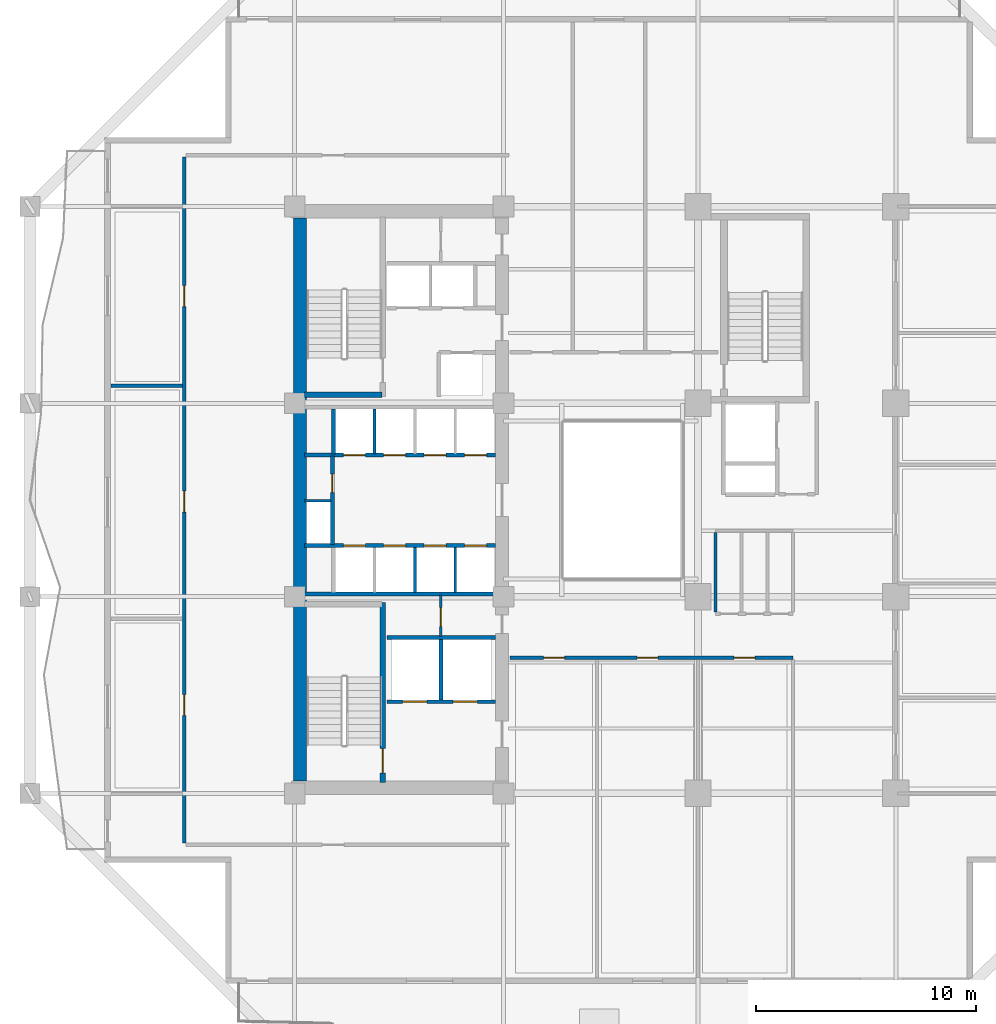
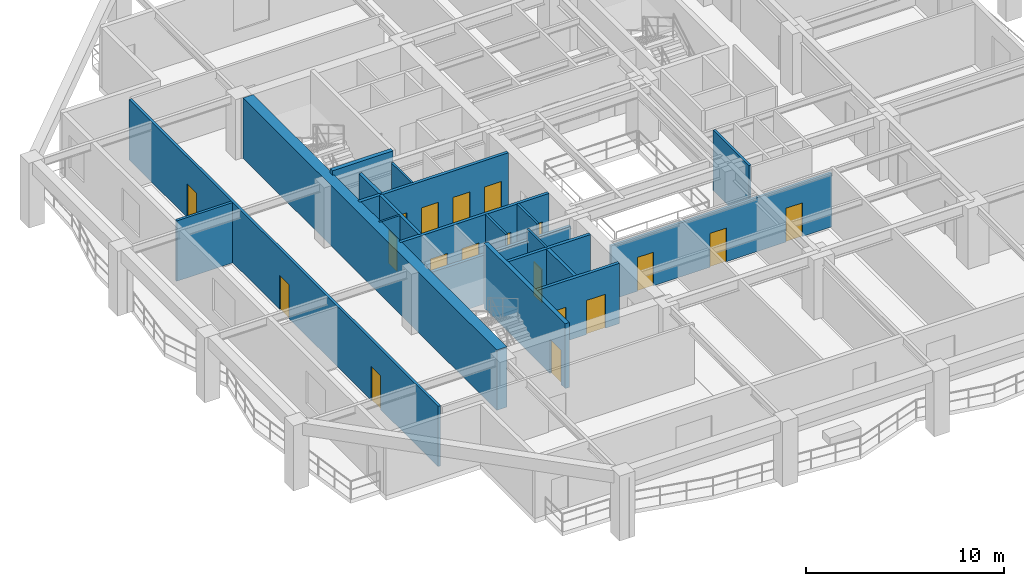
# One storey, part 3 of 13: 20 walls, 19 doors, 19 openings.
"""IFC4 building model written with IfcOpenShell, lengths in metres."""

from ifc_helpers import new_model, si_unit, direction, frame, frame_2d, origin, place, context, subcontext, project, spatial, rectangle, extrude, material, layer, layer_set, type_object, element, fill, save


model = new_model("IFC4")

# Units and contexts
model_context = context("Model", 3, precision=1e-05, world=origin(), true_north=direction((0.0, 1.0)))
body_context = subcontext(model_context, "Body", "Model", "MODEL_VIEW")
ifc_project = project(units=[si_unit("LENGTHUNIT", "METRE"), si_unit("AREAUNIT", "SQUARE_METRE"), si_unit("VOLUMEUNIT", "CUBIC_METRE"), si_unit("PLANEANGLEUNIT", "RADIAN"), si_unit("MASSUNIT", "GRAM", prefix="KILO")], contexts=[model_context])

# Site, building, storey
site_placement = place(None, origin())
site = spatial("IfcSite", under=ifc_project, at=site_placement, CompositionType="ELEMENT")
building_placement = place(site_placement, origin())
building = spatial("IfcBuilding", under=site, at=building_placement, Name="Kundavana Baori Tower", CompositionType="ELEMENT")
storey_placement = place(building_placement, frame((0.0, 0.0, 58.0)))
storey = spatial("IfcBuildingStorey", under=building, at=storey_placement, Name="L13", CompositionType="ELEMENT", Elevation=58.0)

# Wall, opening, door
ifc_material_1 = material(Name="Concrete C50/60", Category="concrete")
ifc_layer_1 = layer(ifc_material_1, 0.39990234375, Name="WL-CORE-400")
ifc_layer_set_1 = layer_set([ifc_layer_1], Name="Concrete C50/60")
wall_type_1 = type_object("IfcWallType", Name="WL-CORE-400", PredefinedType="SHEAR", material=ifc_layer_set_1)
wall_1_placement = place(storey_placement, frame((19.4599609375, 15.739990234375, 0.0), z_axis=(0.0, 0.0, 1.0), x_axis=(0.0, 1.0, 0.0)))
wall_1 = element("IfcWall", 1, at=wall_1_placement, inside=storey, type_object=wall_type_1, Name="WL-L13-ST1-E", PredefinedType="SHEAR", context=body_context, shape_type="SweptSolid", body=[
    extrude(rectangle(XDim=8.199951171875, YDim=0.239990234375, at=frame_2d((4.10009765625, 0.0))), origin(), (0.0, 0.0, 1.0), 4.0),
])
opening_1_placement = place(wall_1_placement, frame((0.449951171875, 0.0, 0.0)))
opening_1 = element("IfcOpeningElement", 2, at=opening_1_placement, cuts=wall_1, Name="Opening FD-110", PredefinedType="OPENING", context=body_context, shape_type="SweptSolid", body=[
    extrude(rectangle(XDim=1.10009765625, YDim=2.10009765625, at=frame_2d((0.550048828125, 1.050048828125))), frame((0.0, 0.1298828125, 0.0), z_axis=(0.0, -1.0, 0.0), x_axis=(1.0, 0.0, 0.0)), (0.0, 0.0, 1.0), 0.260009765625),
])
ifc_material_2 = material(Name="Galvanised Steel Fire-Rated Door Leaf", Category="steel")
door_type_1 = type_object("IfcDoorType", Name="DR-FD120-1100", OperationType="NOTDEFINED", PredefinedType="DOOR", material=ifc_material_2)
door_1_placement = place(opening_1_placement, origin())
door_1 = element("IfcDoor", 3, at=door_1_placement, inside=storey, type_object=door_type_1, Name="DR-L13-ST1", OperationType="SINGLE_SWING_LEFT", OverallHeight=2.10009765625, OverallWidth=1.10009765625, PredefinedType="DOOR", context=body_context, shape_type="SweptSolid", body=[
    extrude(rectangle(XDim=1.10009765625, YDim=2.10009765625, at=frame_2d((0.550048828125, 1.050048828125))), frame((0.0, 0.02490234375, 0.0), z_axis=(0.0, -1.0, 0.0), x_axis=(1.0, 0.0, 0.0)), (0.0, 0.0, 1.0), 0.050048828125),
])
fill(opening_1, door_1)

# Walls
wall_2_placement = place(storey_placement, frame((15.89990234375, 33.389892578125, 0.0), z_axis=(0.0, 0.0, 1.0), x_axis=(1.0, 0.0, 0.0)))
element("IfcWall", 4, at=wall_2_placement, inside=storey, type_object=wall_type_1, Name="WL-L13-ST2-S", PredefinedType="SHEAR", context=body_context, shape_type="SweptSolid", body=[
    extrude(rectangle(XDim=3.52001953125, YDim=0.239990234375, at=frame_2d((1.760009765625, 0.0))), origin(), (0.0, 0.0, 1.0), 4.0),
])
ifc_material_3 = material(Name="Concrete C60/75", Category="concrete")
ifc_layer_2 = layer(ifc_material_3, 0.60009765625, Name="WL-CORE-600")
ifc_layer_set_2 = layer_set([ifc_layer_2], Name="Concrete C60/75")
wall_type_2 = type_object("IfcWallType", Name="WL-CORE-600", PredefinedType="SHEAR", material=ifc_layer_set_2)
wall_3_placement = place(storey_placement, frame((15.68994140625, 15.81005859375, 0.0), z_axis=(0.0, 0.0, 1.0), x_axis=(0.0, 1.0, 0.0)))
element("IfcWall", 5, at=wall_3_placement, inside=storey, type_object=wall_type_2, Name="L13 Offset Core West Shear Wall", PredefinedType="SHEAR", context=body_context, shape_type="SweptSolid", body=[
    extrude(rectangle(XDim=25.6298828125, YDim=0.60009765625, at=frame_2d((12.81494140625, 0.0))), origin(), (0.0, 0.0, 1.0), 3.719970703125),
])

# Wall, opening, door
ifc_material_4 = material(Name="Acoustic Gypsum Plasterboard on Galvanised Steel Studs", Category="steel")
ifc_layer_3 = layer(ifc_material_4, 0.1201171875, Name="WL-PART-120")
ifc_layer_set_3 = layer_set([ifc_layer_3], Name="Acoustic Gypsum Plasterboard on Galvanised Steel Studs")
wall_type_3 = type_object("IfcWallType", Name="WL-PART-120", PredefinedType="PARTITIONING", material=ifc_layer_set_3)
wall_4_placement = place(storey_placement, frame((22.10009765625, 22.39990234375, 0.0), z_axis=(0.0, 0.0, 1.0), x_axis=(0.0, 1.0, 0.0)))
wall_4 = element("IfcWall", 6, at=wall_4_placement, inside=storey, type_object=wall_type_3, Name="WL-L13-CSMK-D1", PredefinedType="PARTITIONING", context=body_context, shape_type="SweptSolid", body=[
    extrude(rectangle(XDim=1.880126953125, YDim=0.1201171875, at=frame_2d((0.93994140625, 0.0))), origin(), (0.0, 0.0, 1.0), 3.719970703125),
])
opening_2_placement = place(wall_4_placement, frame((0.449951171875, 0.0, 0.0)))
opening_2 = element("IfcOpeningElement", 7, at=opening_2_placement, cuts=wall_4, Name="Opening FD-085", PredefinedType="OPENING", context=body_context, shape_type="SweptSolid", body=[
    extrude(rectangle(XDim=0.85009765625, YDim=2.06005859375, at=frame_2d((0.425048828125, 1.030029296875))), frame((0.0, 0.070068359375, 0.0), z_axis=(0.0, -1.0, 0.0), x_axis=(1.0, 0.0, 0.0)), (0.0, 0.0, 1.0), 0.14013671875),
])
ifc_material_5 = material(Name="Galvanised Steel Fire-Rated Door Leaf", Category="steel")
door_type_2 = type_object("IfcDoorType", Name="DR-FD60-850", OperationType="NOTDEFINED", PredefinedType="DOOR", material=ifc_material_5)
door_2_placement = place(opening_2_placement, origin())
door_2 = element("IfcDoor", 8, at=door_2_placement, inside=storey, type_object=door_type_2, Name="DR-L13-CSMK1", OperationType="SINGLE_SWING_LEFT", OverallHeight=2.06005859375, OverallWidth=0.85009765625, PredefinedType="DOOR", context=body_context, shape_type="SweptSolid", body=[
    extrude(rectangle(XDim=0.85009765625, YDim=2.06005859375, at=frame_2d((0.425048828125, 1.030029296875))), frame((0.0, 0.02490234375, 0.0), z_axis=(0.0, -1.0, 0.0), x_axis=(1.0, 0.0, 0.0)), (0.0, 0.0, 1.0), 0.050048828125),
])
fill(opening_2, door_2)

# Walls
for number, where, z_axis, x_axis, name in (
    (9, (20.919921875, 24.39990234375, 0.0), (0.0, 0.0, 1.0), (0.0, 1.0, 0.0), "WL-L13-LPLOW-D2"),
    (10, (22.760009765625, 24.39990234375, 0.0), (0.0, 0.0, 1.0), (0.0, 1.0, 0.0), "WL-L13-LPLOW-D3"),
):
    element("IfcWall", number, at=place(storey_placement, frame(where, z_axis=z_axis, x_axis=x_axis)), inside=storey, type_object=wall_type_3, Name=name, PredefinedType="PARTITIONING", context=body_context, shape_type="SweptSolid", body=[
        extrude(rectangle(XDim=2.050048828125, YDim=0.1201171875, at=frame_2d((1.02490234375, 0.0))), origin(), (0.0, 0.0, 1.0), 3.719970703125),
    ])
wall_5_placement = place(storey_placement, frame((15.89990234375, 28.56005859375, 0.0), z_axis=(0.0, 0.0, 1.0), x_axis=(1.0, 0.0, 0.0)))
element("IfcWall", 11, at=wall_5_placement, inside=storey, type_object=wall_type_3, Name="WL-L13-RSRW-N", PredefinedType="PARTITIONING", context=body_context, shape_type="SweptSolid", body=[
    extrude(rectangle(XDim=1.2001953125, YDim=0.1201171875, at=frame_2d((0.60009765625, 0.0))), origin(), (0.0, 0.0, 1.0), 3.719970703125),
])
wall_6_placement = place(storey_placement, frame((19.080078125, 30.699951171875, 0.0), z_axis=(0.0, 0.0, 1.0), x_axis=(0.0, 1.0, 0.0)))
element("IfcWall", 12, at=wall_6_placement, inside=storey, type_object=wall_type_3, Name="WL-L13-LPMID-D1", PredefinedType="PARTITIONING", context=body_context, shape_type="SweptSolid", body=[
    extrude(rectangle(XDim=2.050048828125, YDim=0.1201171875, at=frame_2d((1.02490234375, 0.0))), origin(), (0.0, 0.0, 1.0), 3.719970703125),
])

# Wall, openings, doors
ifc_material_6 = material(Name="Fire-Rated Gypsum Drywall on Galvanised Steel Studs", Category="steel")
ifc_layer_4 = layer(ifc_material_6, 0.14990234375, Name="WL-PART-150")
ifc_layer_set_4 = layer_set([ifc_layer_4], Name="Fire-Rated Gypsum Drywall on Galvanised Steel Studs")
wall_type_4 = type_object("IfcWallType", Name="WL-PART-150", PredefinedType="PARTITIONING", material=ifc_layer_set_4)
wall_7_placement = place(storey_placement, frame((25.25, 21.419921875, 0.0), z_axis=(0.0, 0.0, 1.0), x_axis=(1.0, 0.0, 0.0)))
wall_7 = element("IfcWall", 13, at=wall_7_placement, inside=storey, type_object=wall_type_4, Name="WL-L13-OFS", PredefinedType="PARTITIONING", context=body_context, shape_type="SweptSolid", body=[
    extrude(rectangle(XDim=12.8701171875, YDim=0.14990234375, at=frame_2d((6.43505859375, 0.0))), origin(), (0.0, 0.0, 1.0), 3.320068359375),
])
opening_3_placement = place(wall_7_placement, frame((1.52490234375, 0.0, 0.0)))
opening_3 = element("IfcOpeningElement", 14, at=opening_3_placement, cuts=wall_7, Name="Opening ID-095", PredefinedType="OPENING", context=body_context, shape_type="SweptSolid", body=[
    extrude(rectangle(XDim=0.949951171875, YDim=2.080078125, at=frame_2d((0.47509765625, 1.0400390625))), frame((0.0, 0.0849609375, 0.0), z_axis=(0.0, -1.0, 0.0), x_axis=(1.0, 0.0, 0.0)), (0.0, 0.0, 1.0), 0.169921875),
])
opening_4_placement = place(wall_7_placement, frame((5.77490234375, 0.0, 0.0)))
opening_4 = element("IfcOpeningElement", 15, at=opening_4_placement, cuts=wall_7, Name="Opening ID-095", PredefinedType="OPENING", context=body_context, shape_type="SweptSolid", body=[
    extrude(rectangle(XDim=0.949951171875, YDim=2.080078125, at=frame_2d((0.47509765625, 1.0400390625))), frame((0.0, 0.0849609375, 0.0), z_axis=(0.0, -1.0, 0.0), x_axis=(1.0, 0.0, 0.0)), (0.0, 0.0, 1.0), 0.169921875),
])
opening_5_placement = place(wall_7_placement, frame((10.195068359375, 0.0, 0.0)))
opening_5 = element("IfcOpeningElement", 16, at=opening_5_placement, cuts=wall_7, Name="Opening ID-095", PredefinedType="OPENING", context=body_context, shape_type="SweptSolid", body=[
    extrude(rectangle(XDim=0.949951171875, YDim=2.080078125, at=frame_2d((0.47509765625, 1.0400390625))), frame((0.0, 0.0849609375, 0.0), z_axis=(0.0, -1.0, 0.0), x_axis=(1.0, 0.0, 0.0)), (0.0, 0.0, 1.0), 0.169921875),
])
ifc_material_7 = material(Name="Engineered Teak Solid-Core Timber Veneer", Category="wood")
door_type_3 = type_object("IfcDoorType", Name="DR-INT-950", OperationType="NOTDEFINED", PredefinedType="DOOR", material=ifc_material_7)
door_3_placement = place(opening_3_placement, frame((0.949951171875, 0.0, 0.0), z_axis=(0.0, 0.0, 1.0), x_axis=(-1.0, 0.0, 0.0)))
door_3 = element("IfcDoor", 17, at=door_3_placement, inside=storey, type_object=door_type_3, Name="DR-L13-OFS1", OperationType="SINGLE_SWING_LEFT", OverallHeight=2.080078125, OverallWidth=0.949951171875, PredefinedType="DOOR", context=body_context, shape_type="SweptSolid", body=[
    extrude(rectangle(XDim=0.949951171875, YDim=2.080078125, at=frame_2d((0.47509765625, 1.0400390625))), frame((0.0, 0.02490234375, 0.0), z_axis=(0.0, -1.0, 0.0), x_axis=(1.0, 0.0, 0.0)), (0.0, 0.0, 1.0), 0.050048828125),
])
fill(opening_3, door_3)
door_4_placement = place(opening_4_placement, frame((0.949951171875, 0.0, 0.0), z_axis=(0.0, 0.0, 1.0), x_axis=(-1.0, 0.0, 0.0)))
door_4 = element("IfcDoor", 18, at=door_4_placement, inside=storey, type_object=door_type_3, Name="DR-L13-OFS2", OperationType="SINGLE_SWING_RIGHT", OverallHeight=2.080078125, OverallWidth=0.949951171875, PredefinedType="DOOR", context=body_context, shape_type="SweptSolid", body=[
    extrude(rectangle(XDim=0.949951171875, YDim=2.080078125, at=frame_2d((0.47509765625, 1.0400390625))), frame((0.0, 0.02490234375, 0.0), z_axis=(0.0, -1.0, 0.0), x_axis=(1.0, 0.0, 0.0)), (0.0, 0.0, 1.0), 0.050048828125),
])
fill(opening_4, door_4)
door_5_placement = place(opening_5_placement, frame((0.949951171875, 0.0, 0.0), z_axis=(0.0, 0.0, 1.0), x_axis=(-1.0, 0.0, 0.0)))
door_5 = element("IfcDoor", 19, at=door_5_placement, inside=storey, type_object=door_type_3, Name="DR-L13-OFS3", OperationType="SINGLE_SWING_LEFT", OverallHeight=2.080078125, OverallWidth=0.949951171875, PredefinedType="DOOR", context=body_context, shape_type="SweptSolid", body=[
    extrude(rectangle(XDim=0.949951171875, YDim=2.080078125, at=frame_2d((0.47509765625, 1.0400390625))), frame((0.0, 0.02490234375, 0.0), z_axis=(0.0, -1.0, 0.0), x_axis=(1.0, 0.0, 0.0)), (0.0, 0.0, 1.0), 0.050048828125),
])
fill(opening_5, door_5)

wall_8_placement = place(storey_placement, frame((10.419921875, 13.0, 0.0), z_axis=(0.0, 0.0, 1.0), x_axis=(0.0, 1.0, 0.0)))
wall_8 = element("IfcWall", 20, at=wall_8_placement, inside=storey, type_object=wall_type_4, Name="WL-L13-OW", PredefinedType="PARTITIONING", context=body_context, shape_type="SweptSolid", body=[
    extrude(rectangle(XDim=31.199951171875, YDim=0.14990234375, at=frame_2d((15.60009765625, 0.0))), origin(), (0.0, 0.0, 1.0), 3.719970703125),
])
opening_6_placement = place(wall_8_placement, frame((5.800048828125, 0.0, 0.0)))
opening_6 = element("IfcOpeningElement", 21, at=opening_6_placement, cuts=wall_8, Name="Opening ID-095", PredefinedType="OPENING", context=body_context, shape_type="SweptSolid", body=[
    extrude(rectangle(XDim=0.949951171875, YDim=2.080078125, at=frame_2d((0.47509765625, 1.0400390625))), frame((0.0, 0.0849609375, 0.0), z_axis=(0.0, -1.0, 0.0), x_axis=(1.0, 0.0, 0.0)), (0.0, 0.0, 1.0), 0.169921875),
])
opening_7_placement = place(wall_8_placement, frame((15.050048828125, 0.0, 0.0)))
opening_7 = element("IfcOpeningElement", 22, at=opening_7_placement, cuts=wall_8, Name="Opening ID-095", PredefinedType="OPENING", context=body_context, shape_type="SweptSolid", body=[
    extrude(rectangle(XDim=0.949951171875, YDim=2.080078125, at=frame_2d((0.47509765625, 1.0400390625))), frame((0.0, 0.0849609375, 0.0), z_axis=(0.0, -1.0, 0.0), x_axis=(1.0, 0.0, 0.0)), (0.0, 0.0, 1.0), 0.169921875),
])
opening_8_placement = place(wall_8_placement, frame((24.39990234375, 0.0, 0.0)))
opening_8 = element("IfcOpeningElement", 23, at=opening_8_placement, cuts=wall_8, Name="Opening ID-095", PredefinedType="OPENING", context=body_context, shape_type="SweptSolid", body=[
    extrude(rectangle(XDim=0.949951171875, YDim=2.080078125, at=frame_2d((0.47509765625, 1.0400390625))), frame((0.0, 0.0849609375, 0.0), z_axis=(0.0, -1.0, 0.0), x_axis=(1.0, 0.0, 0.0)), (0.0, 0.0, 1.0), 0.169921875),
])
door_6_placement = place(opening_6_placement, frame((0.949951171875, 0.0, 0.0), z_axis=(0.0, 0.0, 1.0), x_axis=(-1.0, 0.0, 0.0)))
door_6 = element("IfcDoor", 24, at=door_6_placement, inside=storey, type_object=door_type_3, Name="DR-L13-OFW1", OperationType="SINGLE_SWING_LEFT", OverallHeight=2.080078125, OverallWidth=0.949951171875, PredefinedType="DOOR", context=body_context, shape_type="SweptSolid", body=[
    extrude(rectangle(XDim=0.949951171875, YDim=2.080078125, at=frame_2d((0.47509765625, 1.0400390625))), frame((0.0, 0.02490234375, 0.0), z_axis=(0.0, -1.0, 0.0), x_axis=(1.0, 0.0, 0.0)), (0.0, 0.0, 1.0), 0.050048828125),
])
fill(opening_6, door_6)
door_7_placement = place(opening_7_placement, frame((0.949951171875, 0.0, 0.0), z_axis=(0.0, 0.0, 1.0), x_axis=(-1.0, 0.0, 0.0)))
door_7 = element("IfcDoor", 25, at=door_7_placement, inside=storey, type_object=door_type_3, Name="DR-L13-OFW2", OperationType="SINGLE_SWING_RIGHT", OverallHeight=2.080078125, OverallWidth=0.949951171875, PredefinedType="DOOR", context=body_context, shape_type="SweptSolid", body=[
    extrude(rectangle(XDim=0.949951171875, YDim=2.080078125, at=frame_2d((0.47509765625, 1.0400390625))), frame((0.0, 0.02490234375, 0.0), z_axis=(0.0, -1.0, 0.0), x_axis=(1.0, 0.0, 0.0)), (0.0, 0.0, 1.0), 0.050048828125),
])
fill(opening_7, door_7)
door_8_placement = place(opening_8_placement, frame((0.949951171875, 0.0, 0.0), z_axis=(0.0, 0.0, 1.0), x_axis=(-1.0, 0.0, 0.0)))
door_8 = element("IfcDoor", 26, at=door_8_placement, inside=storey, type_object=door_type_3, Name="DR-L13-OFW3", OperationType="SINGLE_SWING_LEFT", OverallHeight=2.080078125, OverallWidth=0.949951171875, PredefinedType="DOOR", context=body_context, shape_type="SweptSolid", body=[
    extrude(rectangle(XDim=0.949951171875, YDim=2.080078125, at=frame_2d((0.47509765625, 1.0400390625))), frame((0.0, 0.02490234375, 0.0), z_axis=(0.0, -1.0, 0.0), x_axis=(1.0, 0.0, 0.0)), (0.0, 0.0, 1.0), 0.050048828125),
])
fill(opening_8, door_8)

# Wall
wall_9_placement = place(storey_placement, frame((7.080078125, 33.800048828125, 0.0), z_axis=(0.0, 0.0, 1.0), x_axis=(1.0, 0.0, 0.0)))
element("IfcWall", 27, at=wall_9_placement, inside=storey, type_object=wall_type_4, Name="WL-L13-WD2", PredefinedType="PARTITIONING", context=body_context, shape_type="SweptSolid", body=[
    extrude(rectangle(XDim=3.260009765625, YDim=0.14990234375, at=frame_2d((1.6298828125, 0.0))), origin(), (0.0, 0.0, 1.0), 3.719970703125),
])

# Wall, openings, doors
ifc_material_8 = material(Name="Autoclaved Aerated Concrete Blockwork Masonry", Category="masonry")
ifc_layer_5 = layer(ifc_material_8, 0.179931640625, Name="WL-SHAFT-180")
ifc_layer_set_5 = layer_set([ifc_layer_5], Name="Autoclaved Aerated Concrete Blockwork Masonry")
wall_type_5 = type_object("IfcWallType", Name="WL-SHAFT-180", PredefinedType="SOLIDWALL", material=ifc_layer_set_5)
wall_10_placement = place(storey_placement, frame((19.639892578125, 19.419921875, 0.0), z_axis=(0.0, 0.0, 1.0), x_axis=(1.0, 0.0, 0.0)))
wall_10 = element("IfcWall", 28, at=wall_10_placement, inside=storey, type_object=wall_type_5, Name="WL-L13-FFL-S", PredefinedType="SOLIDWALL", context=body_context, shape_type="SweptSolid", body=[
    extrude(rectangle(XDim=4.940185546875, YDim=0.179931640625, at=frame_2d((2.47021484375, 0.0))), origin(), (0.0, 0.0, 1.0), 3.719970703125),
])
opening_9_placement = place(wall_10_placement, frame((0.719970703125, 0.0, 0.0)))
opening_9 = element("IfcOpeningElement", 29, at=opening_9_placement, cuts=wall_10, Name="Opening LD-110", PredefinedType="OPENING", context=body_context, shape_type="SweptSolid", body=[
    extrude(rectangle(XDim=1.10009765625, YDim=2.10009765625, at=frame_2d((0.550048828125, 1.050048828125))), frame((0.0, 0.10009765625, 0.0), z_axis=(0.0, -1.0, 0.0), x_axis=(1.0, 0.0, 0.0)), (0.0, 0.0, 1.0), 0.199951171875),
])
opening_10_placement = place(wall_10_placement, frame((3.02001953125, 0.0, 0.0)))
opening_10 = element("IfcOpeningElement", 30, at=opening_10_placement, cuts=wall_10, Name="Opening LD-110", PredefinedType="OPENING", context=body_context, shape_type="SweptSolid", body=[
    extrude(rectangle(XDim=1.10009765625, YDim=2.10009765625, at=frame_2d((0.550048828125, 1.050048828125))), frame((0.0, 0.10009765625, 0.0), z_axis=(0.0, -1.0, 0.0), x_axis=(1.0, 0.0, 0.0)), (0.0, 0.0, 1.0), 0.199951171875),
])
ifc_material_9 = material(Name="Galvanised Steel Fire-Rated Door Leaf", Category="steel")
door_type_4 = type_object("IfcDoorType", Name="DR-SLIDE-LD1100", OperationType="NOTDEFINED", PredefinedType="DOOR", material=ifc_material_9)
door_9_placement = place(opening_9_placement, origin())
door_9 = element("IfcDoor", 31, at=door_9_placement, inside=storey, type_object=door_type_4, Name="DR-L13-LD-FFL-1", OperationType="DOUBLE_DOOR_SLIDING", OverallHeight=2.10009765625, OverallWidth=1.10009765625, PredefinedType="DOOR", context=body_context, shape_type="SweptSolid", body=[
    extrude(rectangle(XDim=1.10009765625, YDim=2.10009765625, at=frame_2d((0.550048828125, 1.050048828125))), frame((0.0, 0.02490234375, 0.0), z_axis=(0.0, -1.0, 0.0), x_axis=(1.0, 0.0, 0.0)), (0.0, 0.0, 1.0), 0.050048828125),
])
fill(opening_9, door_9)
door_10_placement = place(opening_10_placement, origin())
door_10 = element("IfcDoor", 32, at=door_10_placement, inside=storey, type_object=door_type_4, Name="DR-L13-LD-FFL-2", OperationType="DOUBLE_DOOR_SLIDING", OverallHeight=2.10009765625, OverallWidth=1.10009765625, PredefinedType="DOOR", context=body_context, shape_type="SweptSolid", body=[
    extrude(rectangle(XDim=1.10009765625, YDim=2.10009765625, at=frame_2d((0.550048828125, 1.050048828125))), frame((0.0, 0.02490234375, 0.0), z_axis=(0.0, -1.0, 0.0), x_axis=(1.0, 0.0, 0.0)), (0.0, 0.0, 1.0), 0.050048828125),
])
fill(opening_10, door_10)

# Walls
wall_11_placement = place(storey_placement, frame((22.10009765625, 19.510009765625, 0.0), z_axis=(0.0, 0.0, 1.0), x_axis=(0.0, 1.0, 0.0)))
element("IfcWall", 33, at=wall_11_placement, inside=storey, type_object=wall_type_5, Name="WL-L13-FFL-MID", PredefinedType="SOLIDWALL", context=body_context, shape_type="SweptSolid", body=[
    extrude(rectangle(XDim=2.739990234375, YDim=0.179931640625, at=frame_2d((1.3701171875, 0.0))), origin(), (0.0, 0.0, 1.0), 3.719970703125),
])
wall_12_placement = place(storey_placement, frame((19.639892578125, 22.340087890625, 0.0), z_axis=(0.0, 0.0, 1.0), x_axis=(1.0, 0.0, 0.0)))
element("IfcWall", 34, at=wall_12_placement, inside=storey, type_object=wall_type_5, Name="WL-L13-FFL-N", PredefinedType="SOLIDWALL", context=body_context, shape_type="SweptSolid", body=[
    extrude(rectangle(XDim=4.940185546875, YDim=0.179931640625, at=frame_2d((2.47021484375, 0.0))), origin(), (0.0, 0.0, 1.0), 3.719970703125),
])

# Wall, openings, doors
wall_13_placement = place(storey_placement, frame((15.89990234375, 26.52001953125, 0.0), z_axis=(0.0, 0.0, 1.0), x_axis=(1.0, 0.0, 0.0)))
wall_13 = element("IfcWall", 35, at=wall_13_placement, inside=storey, type_object=wall_type_5, Name="WL-L13-LPLOW-N", PredefinedType="SOLIDWALL", context=body_context, shape_type="SweptSolid", body=[
    extrude(rectangle(XDim=8.68017578125, YDim=0.179931640625, at=frame_2d((4.340087890625, 0.0))), origin(), (0.0, 0.0, 1.0), 3.719970703125),
])
opening_11_placement = place(wall_13_placement, frame((1.760009765625, 0.0, 0.0)))
opening_11 = element("IfcOpeningElement", 36, at=opening_11_placement, cuts=wall_13, Name="Opening LD-100", PredefinedType="OPENING", context=body_context, shape_type="SweptSolid", body=[
    extrude(rectangle(XDim=1.0, YDim=2.10009765625, at=frame_2d((0.5, 1.050048828125))), frame((0.0, 0.10009765625, 0.0), z_axis=(0.0, -1.0, 0.0), x_axis=(1.0, 0.0, 0.0)), (0.0, 0.0, 1.0), 0.199951171875),
])
opening_12_placement = place(wall_13_placement, frame((3.60009765625, 0.0, 0.0)))
opening_12 = element("IfcOpeningElement", 37, at=opening_12_placement, cuts=wall_13, Name="Opening LD-100", PredefinedType="OPENING", context=body_context, shape_type="SweptSolid", body=[
    extrude(rectangle(XDim=1.0, YDim=2.10009765625, at=frame_2d((0.5, 1.050048828125))), frame((0.0, 0.10009765625, 0.0), z_axis=(0.0, -1.0, 0.0), x_axis=(1.0, 0.0, 0.0)), (0.0, 0.0, 1.0), 0.199951171875),
])
opening_13_placement = place(wall_13_placement, frame((5.43994140625, 0.0, 0.0)))
opening_13 = element("IfcOpeningElement", 38, at=opening_13_placement, cuts=wall_13, Name="Opening LD-100", PredefinedType="OPENING", context=body_context, shape_type="SweptSolid", body=[
    extrude(rectangle(XDim=1.0, YDim=2.10009765625, at=frame_2d((0.5, 1.050048828125))), frame((0.0, 0.10009765625, 0.0), z_axis=(0.0, -1.0, 0.0), x_axis=(1.0, 0.0, 0.0)), (0.0, 0.0, 1.0), 0.199951171875),
])
opening_14_placement = place(wall_13_placement, frame((7.280029296875, 0.0, 0.0)))
opening_14 = element("IfcOpeningElement", 39, at=opening_14_placement, cuts=wall_13, Name="Opening LD-100", PredefinedType="OPENING", context=body_context, shape_type="SweptSolid", body=[
    extrude(rectangle(XDim=1.0, YDim=2.10009765625, at=frame_2d((0.5, 1.050048828125))), frame((0.0, 0.10009765625, 0.0), z_axis=(0.0, -1.0, 0.0), x_axis=(1.0, 0.0, 0.0)), (0.0, 0.0, 1.0), 0.199951171875),
])
ifc_material_10 = material(Name="Galvanised Steel Fire-Rated Door Leaf", Category="steel")
door_type_5 = type_object("IfcDoorType", Name="DR-SLIDE-LD1000", OperationType="NOTDEFINED", PredefinedType="DOOR", material=ifc_material_10)
door_11_placement = place(opening_11_placement, origin())
door_11 = element("IfcDoor", 40, at=door_11_placement, inside=storey, type_object=door_type_5, Name="DR-L13-LD-LP-01", OperationType="DOUBLE_DOOR_SLIDING", OverallHeight=2.10009765625, OverallWidth=1.0, PredefinedType="DOOR", context=body_context, shape_type="SweptSolid", body=[
    extrude(rectangle(XDim=1.0, YDim=2.10009765625, at=frame_2d((0.5, 1.050048828125))), frame((0.0, 0.02490234375, 0.0), z_axis=(0.0, -1.0, 0.0), x_axis=(1.0, 0.0, 0.0)), (0.0, 0.0, 1.0), 0.050048828125),
])
fill(opening_11, door_11)
door_12_placement = place(opening_12_placement, origin())
door_12 = element("IfcDoor", 41, at=door_12_placement, inside=storey, type_object=door_type_5, Name="DR-L13-LD-LP-02", OperationType="DOUBLE_DOOR_SLIDING", OverallHeight=2.10009765625, OverallWidth=1.0, PredefinedType="DOOR", context=body_context, shape_type="SweptSolid", body=[
    extrude(rectangle(XDim=1.0, YDim=2.10009765625, at=frame_2d((0.5, 1.050048828125))), frame((0.0, 0.02490234375, 0.0), z_axis=(0.0, -1.0, 0.0), x_axis=(1.0, 0.0, 0.0)), (0.0, 0.0, 1.0), 0.050048828125),
])
fill(opening_12, door_12)
door_13_placement = place(opening_13_placement, origin())
door_13 = element("IfcDoor", 42, at=door_13_placement, inside=storey, type_object=door_type_5, Name="DR-L13-LD-LP-03", OperationType="DOUBLE_DOOR_SLIDING", OverallHeight=2.10009765625, OverallWidth=1.0, PredefinedType="DOOR", context=body_context, shape_type="SweptSolid", body=[
    extrude(rectangle(XDim=1.0, YDim=2.10009765625, at=frame_2d((0.5, 1.050048828125))), frame((0.0, 0.02490234375, 0.0), z_axis=(0.0, -1.0, 0.0), x_axis=(1.0, 0.0, 0.0)), (0.0, 0.0, 1.0), 0.050048828125),
])
fill(opening_13, door_13)
door_14_placement = place(opening_14_placement, origin())
door_14 = element("IfcDoor", 43, at=door_14_placement, inside=storey, type_object=door_type_5, Name="DR-L13-LD-LP-04", OperationType="DOUBLE_DOOR_SLIDING", OverallHeight=2.10009765625, OverallWidth=1.0, PredefinedType="DOOR", context=body_context, shape_type="SweptSolid", body=[
    extrude(rectangle(XDim=1.0, YDim=2.10009765625, at=frame_2d((0.5, 1.050048828125))), frame((0.0, 0.02490234375, 0.0), z_axis=(0.0, -1.0, 0.0), x_axis=(1.0, 0.0, 0.0)), (0.0, 0.0, 1.0), 0.050048828125),
])
fill(opening_14, door_14)

# Wall
wall_14_placement = place(storey_placement, frame((15.89990234375, 24.330078125, 0.0), z_axis=(0.0, 0.0, 1.0), x_axis=(1.0, 0.0, 0.0)))
element("IfcWall", 44, at=wall_14_placement, inside=storey, type_object=wall_type_5, Name="WL-L13-LPLOW-S", PredefinedType="SOLIDWALL", context=body_context, shape_type="SweptSolid", body=[
    extrude(rectangle(XDim=8.68017578125, YDim=0.179931640625, at=frame_2d((4.340087890625, 0.0))), origin(), (0.0, 0.0, 1.0), 3.02001953125),
])

# Wall, opening, door
wall_15_placement = place(storey_placement, frame((17.159912109375, 26.580078125, 0.0), z_axis=(0.0, 0.0, 1.0), x_axis=(0.0, 1.0, 0.0)))
wall_15 = element("IfcWall", 45, at=wall_15_placement, inside=storey, type_object=wall_type_5, Name="WL-L13-RSRW-E", PredefinedType="SOLIDWALL", context=body_context, shape_type="SweptSolid", body=[
    extrude(rectangle(XDim=4.02001953125, YDim=0.179931640625, at=frame_2d((2.010009765625, 0.0))), origin(), (0.0, 0.0, 1.0), 3.719970703125),
])
opening_15_placement = place(wall_15_placement, frame((2.35009765625, 0.0, 0.0)))
opening_15 = element("IfcOpeningElement", 46, at=opening_15_placement, cuts=wall_15, Name="Opening FD-085", PredefinedType="OPENING", context=body_context, shape_type="SweptSolid", body=[
    extrude(rectangle(XDim=0.85009765625, YDim=2.06005859375, at=frame_2d((0.425048828125, 1.030029296875))), frame((0.0, 0.10009765625, 0.0), z_axis=(0.0, -1.0, 0.0), x_axis=(1.0, 0.0, 0.0)), (0.0, 0.0, 1.0), 0.199951171875),
])
door_15_placement = place(opening_15_placement, origin())
door_15 = element("IfcDoor", 47, at=door_15_placement, inside=storey, type_object=door_type_2, Name="DR-L13-CLN", OperationType="SINGLE_SWING_RIGHT", OverallHeight=2.06005859375, OverallWidth=0.85009765625, PredefinedType="DOOR", context=body_context, shape_type="SweptSolid", body=[
    extrude(rectangle(XDim=0.85009765625, YDim=2.06005859375, at=frame_2d((0.425048828125, 1.030029296875))), frame((0.0, 0.02490234375, 0.0), z_axis=(0.0, -1.0, 0.0), x_axis=(1.0, 0.0, 0.0)), (0.0, 0.0, 1.0), 0.050048828125),
])
fill(opening_15, door_15)

# Wall, openings, doors
wall_16_placement = place(storey_placement, frame((15.89990234375, 30.639892578125, 0.0), z_axis=(0.0, 0.0, 1.0), x_axis=(1.0, 0.0, 0.0)))
wall_16 = element("IfcWall", 48, at=wall_16_placement, inside=storey, type_object=wall_type_5, Name="WL-L13-LPMID-S", PredefinedType="SOLIDWALL", context=body_context, shape_type="SweptSolid", body=[
    extrude(rectangle(XDim=8.68017578125, YDim=0.179931640625, at=frame_2d((4.340087890625, 0.0))), origin(), (0.0, 0.0, 1.0), 3.719970703125),
])
opening_16_placement = place(wall_16_placement, frame((1.760009765625, 0.0, 0.0)))
opening_16 = element("IfcOpeningElement", 49, at=opening_16_placement, cuts=wall_16, Name="Opening LD-100", PredefinedType="OPENING", context=body_context, shape_type="SweptSolid", body=[
    extrude(rectangle(XDim=1.0, YDim=2.10009765625, at=frame_2d((0.5, 1.050048828125))), frame((0.0, 0.10009765625, 0.0), z_axis=(0.0, -1.0, 0.0), x_axis=(1.0, 0.0, 0.0)), (0.0, 0.0, 1.0), 0.199951171875),
])
opening_17_placement = place(wall_16_placement, frame((3.60009765625, 0.0, 0.0)))
opening_17 = element("IfcOpeningElement", 50, at=opening_17_placement, cuts=wall_16, Name="Opening LD-100", PredefinedType="OPENING", context=body_context, shape_type="SweptSolid", body=[
    extrude(rectangle(XDim=1.0, YDim=2.10009765625, at=frame_2d((0.5, 1.050048828125))), frame((0.0, 0.10009765625, 0.0), z_axis=(0.0, -1.0, 0.0), x_axis=(1.0, 0.0, 0.0)), (0.0, 0.0, 1.0), 0.199951171875),
])
opening_18_placement = place(wall_16_placement, frame((5.43994140625, 0.0, 0.0)))
opening_18 = element("IfcOpeningElement", 51, at=opening_18_placement, cuts=wall_16, Name="Opening LD-100", PredefinedType="OPENING", context=body_context, shape_type="SweptSolid", body=[
    extrude(rectangle(XDim=1.0, YDim=2.10009765625, at=frame_2d((0.5, 1.050048828125))), frame((0.0, 0.10009765625, 0.0), z_axis=(0.0, -1.0, 0.0), x_axis=(1.0, 0.0, 0.0)), (0.0, 0.0, 1.0), 0.199951171875),
])
opening_19_placement = place(wall_16_placement, frame((7.280029296875, 0.0, 0.0)))
opening_19 = element("IfcOpeningElement", 52, at=opening_19_placement, cuts=wall_16, Name="Opening LD-100", PredefinedType="OPENING", context=body_context, shape_type="SweptSolid", body=[
    extrude(rectangle(XDim=1.0, YDim=2.10009765625, at=frame_2d((0.5, 1.050048828125))), frame((0.0, 0.10009765625, 0.0), z_axis=(0.0, -1.0, 0.0), x_axis=(1.0, 0.0, 0.0)), (0.0, 0.0, 1.0), 0.199951171875),
])
door_16_placement = place(opening_16_placement, frame((1.0, 0.0, 0.0), z_axis=(0.0, 0.0, 1.0), x_axis=(-1.0, 0.0, 0.0)))
door_16 = element("IfcDoor", 53, at=door_16_placement, inside=storey, type_object=door_type_5, Name="DR-L13-LD-LP-05", OperationType="DOUBLE_DOOR_SLIDING", OverallHeight=2.10009765625, OverallWidth=1.0, PredefinedType="DOOR", context=body_context, shape_type="SweptSolid", body=[
    extrude(rectangle(XDim=1.0, YDim=2.10009765625, at=frame_2d((0.5, 1.050048828125))), frame((0.0, 0.02490234375, 0.0), z_axis=(0.0, -1.0, 0.0), x_axis=(1.0, 0.0, 0.0)), (0.0, 0.0, 1.0), 0.050048828125),
])
fill(opening_16, door_16)
door_17_placement = place(opening_17_placement, frame((1.0, 0.0, 0.0), z_axis=(0.0, 0.0, 1.0), x_axis=(-1.0, 0.0, 0.0)))
door_17 = element("IfcDoor", 54, at=door_17_placement, inside=storey, type_object=door_type_5, Name="DR-L13-LD-LP-06", OperationType="DOUBLE_DOOR_SLIDING", OverallHeight=2.10009765625, OverallWidth=1.0, PredefinedType="DOOR", context=body_context, shape_type="SweptSolid", body=[
    extrude(rectangle(XDim=1.0, YDim=2.10009765625, at=frame_2d((0.5, 1.050048828125))), frame((0.0, 0.02490234375, 0.0), z_axis=(0.0, -1.0, 0.0), x_axis=(1.0, 0.0, 0.0)), (0.0, 0.0, 1.0), 0.050048828125),
])
fill(opening_17, door_17)
door_18_placement = place(opening_18_placement, frame((1.0, 0.0, 0.0), z_axis=(0.0, 0.0, 1.0), x_axis=(-1.0, 0.0, 0.0)))
door_18 = element("IfcDoor", 55, at=door_18_placement, inside=storey, type_object=door_type_5, Name="DR-L13-LD-LP-07", OperationType="DOUBLE_DOOR_SLIDING", OverallHeight=2.10009765625, OverallWidth=1.0, PredefinedType="DOOR", context=body_context, shape_type="SweptSolid", body=[
    extrude(rectangle(XDim=1.0, YDim=2.10009765625, at=frame_2d((0.5, 1.050048828125))), frame((0.0, 0.02490234375, 0.0), z_axis=(0.0, -1.0, 0.0), x_axis=(1.0, 0.0, 0.0)), (0.0, 0.0, 1.0), 0.050048828125),
])
fill(opening_18, door_18)
door_19_placement = place(opening_19_placement, frame((1.0, 0.0, 0.0), z_axis=(0.0, 0.0, 1.0), x_axis=(-1.0, 0.0, 0.0)))
door_19 = element("IfcDoor", 56, at=door_19_placement, inside=storey, type_object=door_type_5, Name="DR-L13-LD-LP-08", OperationType="DOUBLE_DOOR_SLIDING", OverallHeight=2.10009765625, OverallWidth=1.0, PredefinedType="DOOR", context=body_context, shape_type="SweptSolid", body=[
    extrude(rectangle(XDim=1.0, YDim=2.10009765625, at=frame_2d((0.5, 1.050048828125))), frame((0.0, 0.02490234375, 0.0), z_axis=(0.0, -1.0, 0.0), x_axis=(1.0, 0.0, 0.0)), (0.0, 0.0, 1.0), 0.050048828125),
])
fill(opening_19, door_19)

# Walls
wall_17_placement = place(storey_placement, frame((17.219970703125, 30.699951171875, 0.0), z_axis=(0.0, 0.0, 1.0), x_axis=(0.0, 1.0, 0.0)))
element("IfcWall", 57, at=wall_17_placement, inside=storey, type_object=wall_type_5, Name="WL-L13-LPMID-W", PredefinedType="SOLIDWALL", context=body_context, shape_type="SweptSolid", body=[
    extrude(rectangle(XDim=2.050048828125, YDim=0.179931640625, at=frame_2d((1.02490234375, 0.0))), origin(), (0.0, 0.0, 1.0), 3.719970703125),
])
ifc_material_11 = material(Name="Autoclaved Aerated Concrete Blockwork Masonry", Category="masonry")
ifc_layer_6 = layer(ifc_material_11, 0.125, Name="WL-WET-120")
ifc_layer_set_6 = layer_set([ifc_layer_6], Name="Autoclaved Aerated Concrete Blockwork Masonry")
wall_type_6 = type_object("IfcWallType", Name="WL-WET-120", PredefinedType="PLUMBINGWALL", material=ifc_layer_set_6)
wall_18_placement = place(storey_placement, frame((34.60009765625, 23.5, 0.0), z_axis=(0.0, 0.0, 1.0), x_axis=(0.0, 1.0, 0.0)))
element("IfcWall", 58, at=wall_18_placement, inside=storey, type_object=wall_type_6, Name="WL-L13-WCW", PredefinedType="PLUMBINGWALL", context=body_context, shape_type="SweptSolid", body=[
    extrude(rectangle(XDim=3.6201171875, YDim=0.125, at=frame_2d((1.81005859375, 0.0))), origin(), (0.0, 0.0, 1.0), 3.719970703125),
])

save(model, "model.ifc")
